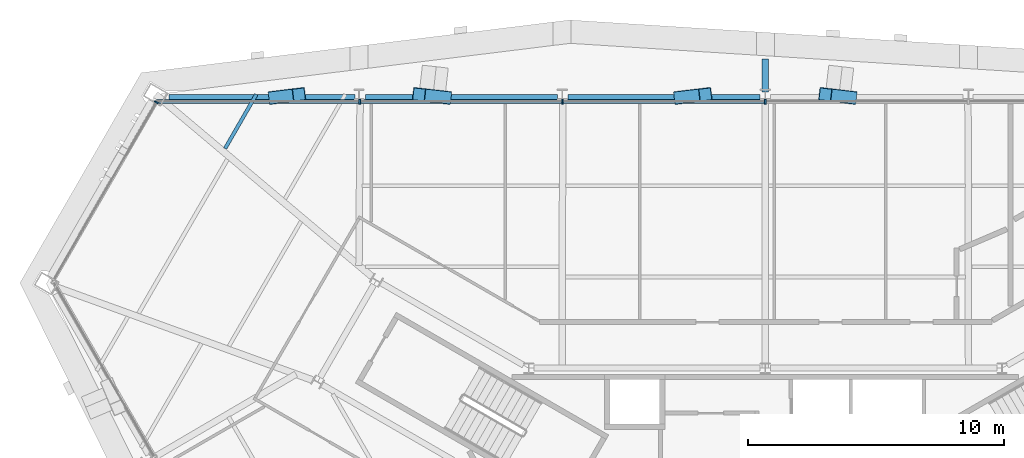
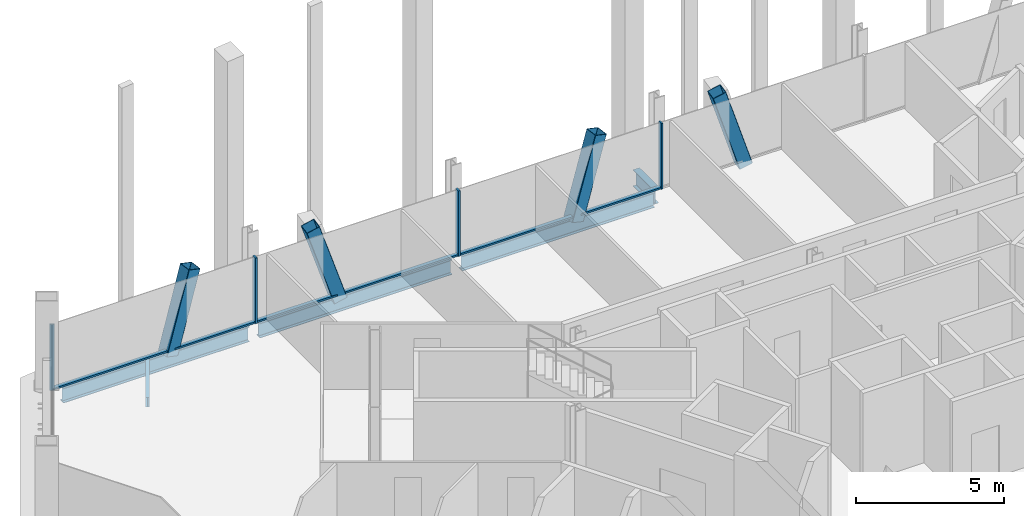
# One storey, part 7 of 15: 11 members, 5 beams, 2 elements without a shape of their own.
"""IFC4 building model written with IfcOpenShell, lengths in metres."""

import ifcopenshell
import ifcopenshell.guid

model = None  # the IFC model being written
_history = None  # IfcOwnerHistory: only IFC2X3 demands one
_inside = {}  # id of a spatial element -> (the spatial element, [elements in it])
_under = {}  # id of a project, library or spatial element -> (it, [spatial elements below it])
_declared = {}  # id of a project -> (the project, [libraries it declares])
_typed = {}  # id of a type object -> (the type object, [elements of that type])
_made_of = {}  # id of a material, layer set ... -> (it, [elements and type objects made of it])


def new_model(schema):
    """Start an empty IFC model of exactly this schema.

    Asked for "IFC4X3", IfcOpenShell would pick the latest addendum, in which some entities
    have other attributes; the version numbers below select the first issue.
    IFC2X3 requires an IfcOwnerHistory on every rooted entity: one is made here for all.
    """
    global model, _history
    if schema == "IFC4X3":
        model = ifcopenshell.file(schema_version=(4, 3, 0, 0))
    else:
        model = ifcopenshell.file(schema=schema)
    _inside.clear()
    _under.clear()
    _declared.clear()
    _typed.clear()
    _made_of.clear()
    _history = None
    if model.schema == "IFC2X3":
        org = make("IfcOrganization", Name="unknown")
        user = make(
            "IfcPersonAndOrganization",
            ThePerson=make("IfcPerson", FamilyName="unknown"),
            TheOrganization=org,
        )
        app = make(
            "IfcApplication",
            ApplicationDeveloper=org,
            Version="unknown",
            ApplicationFullName="unknown",
            ApplicationIdentifier="unknown",
        )
        _history = make(
            "IfcOwnerHistory",
            OwningUser=user,
            OwningApplication=app,
            ChangeAction="ADDED",
            CreationDate=0,
        )
    return model


def make(cls, **values):
    """One entity of the class cls with the attributes given. An attribute that is None is left unset."""
    return model.create_entity(
        cls, **{name: value for name, value in values.items() if value is not None}
    )


def rooted(cls, **values):
    """An entity with a GlobalId (a new one), such as an element, a storey or a relation."""
    return make(cls, GlobalId=ifcopenshell.guid.new(), OwnerHistory=_history, **values)


def si_unit(unit_type, name, prefix=None):
    """IfcSIUnit, for example si_unit("LENGTHUNIT", "METRE", prefix="MILLI")."""
    return make("IfcSIUnit", UnitType=unit_type, Prefix=prefix, Name=name)


def assignment(units):
    """IfcUnitAssignment: the units of a project."""
    return None if units is None else make("IfcUnitAssignment", Units=units)


def point(xyz):
    """IfcCartesianPoint."""
    return None if xyz is None else make("IfcCartesianPoint", Coordinates=xyz)


def direction(xyz):
    """IfcDirection."""
    return None if xyz is None else make("IfcDirection", DirectionRatios=xyz)


def frame(location, z_axis=None, x_axis=None):
    """IfcAxis2Placement3D, a coordinate frame: its origin and axes. An axis left out is left unset."""
    return make(
        "IfcAxis2Placement3D",
        Location=point(location),
        Axis=direction(z_axis),
        RefDirection=direction(x_axis),
    )


def frame_2d(location, x_axis=None):
    """IfcAxis2Placement2D, a coordinate frame in the plane: its origin and x axis."""
    return make(
        "IfcAxis2Placement2D", Location=point(location), RefDirection=direction(x_axis)
    )


def origin():
    """The frame at (0, 0, 0) with its axes left unset."""
    return frame((0.0, 0.0, 0.0))


def origin_2d():
    """The frame at (0, 0) in the plane with its x axis left unset."""
    return frame_2d((0.0, 0.0))


def place(relative_to, where):
    """IfcLocalPlacement: puts the frame where relative to a parent placement (None: the world)."""
    return make(
        "IfcLocalPlacement", PlacementRelTo=relative_to, RelativePlacement=where
    )


def context(
    kind, dimensions, precision=None, world=None, true_north=None, identifier=None
):
    """IfcGeometricRepresentationContext, for example the 3D "Model" context."""
    return make(
        "IfcGeometricRepresentationContext",
        ContextIdentifier=identifier,
        ContextType=kind,
        CoordinateSpaceDimension=dimensions,
        Precision=precision,
        WorldCoordinateSystem=world,
        TrueNorth=true_north,
    )


def subcontext(parent, identifier, kind, view, scale=None):
    """IfcGeometricRepresentationSubContext, for example "Body" below "Model"."""
    return make(
        "IfcGeometricRepresentationSubContext",
        ContextIdentifier=identifier,
        ContextType=kind,
        ParentContext=parent,
        TargetScale=scale,
        TargetView=view,
    )


def project(units=None, contexts=None):
    """IfcProject with its units and contexts."""
    return rooted(
        "IfcProject",
        Name="project",
        RepresentationContexts=contexts,
        UnitsInContext=assignment(units),
    )


def spatial(cls, under=None, at=None, **own):
    """A site, building, storey or space (cls), placed at a placement, below another one or the project."""
    s = rooted(cls, ObjectPlacement=at, **own)
    if under is not None:
        _under.setdefault(under.id(), (under, []))[1].append(s)
    return s


def profile(cls, at=None, kind="AREA", **sizes):
    """A parametric profile (cls). Its sizes go by their IFC names, for example OverallWidth=200.0."""
    return make(cls, ProfileType=kind, Position=at, **sizes)


def rectangle(**sizes):
    """IfcRectangleProfileDef."""
    return profile("IfcRectangleProfileDef", **sizes)


def hollow_rectangle(**sizes):
    """IfcRectangleHollowProfileDef."""
    return profile("IfcRectangleHollowProfileDef", **sizes)


def i_section(**sizes):
    """IfcIShapeProfileDef."""
    return profile("IfcIShapeProfileDef", **sizes)


def extrude(swept, where, along, depth):
    """IfcExtrudedAreaSolid: the profile swept, set in the frame where, extruded along a direction by depth."""
    return make(
        "IfcExtrudedAreaSolid",
        SweptArea=swept,
        Position=where,
        ExtrudedDirection=direction(along),
        Depth=depth,
    )


def shape(context_of_items, identifier, shape_type, items):
    """IfcShapeRepresentation: the items that make up one representation, for example the "Body"."""
    return make(
        "IfcShapeRepresentation",
        ContextOfItems=context_of_items,
        RepresentationIdentifier=identifier,
        RepresentationType=shape_type,
        Items=items,
    )


def material(Name=None, Category=None):
    """IfcMaterial."""
    return make("IfcMaterial", Name=Name, Category=Category)


def material_profile(
    of_material, cross_section, Name=None, Category=None, Priority=None
):
    """IfcMaterialProfile: a cross section and its material."""
    return make(
        "IfcMaterialProfile",
        Name=Name,
        Material=of_material,
        Profile=cross_section,
        Priority=Priority,
        Category=Category,
    )


def profile_set(profiles, Name=None, composite=None):
    """IfcMaterialProfileSet."""
    return make(
        "IfcMaterialProfileSet",
        Name=Name,
        MaterialProfiles=profiles,
        CompositeProfile=composite,
    )


def made_of(thing, what):
    """Note that an element or type object is made of a material, layer set ...; save() writes the relation."""
    if what is not None:
        _made_of.setdefault(what.id(), (what, []))[1].append(thing)
    return thing


def type_object(cls, material=None, **own):
    """A type object (cls), such as IfcWallType, which elements share."""
    return made_of(rooted(cls, **own), material)


def element(
    cls,
    number,
    at=None,
    inside=None,
    cuts=None,
    type_object=None,
    material=None,
    context=None,
    identifier="Body",
    shape_type=None,
    held_by="IfcProductDefinitionShape",
    body=None,
    shapes=None,
    **own,
):
    """One element of the class cls, such as IfcWall. Its Tag is "e" and its number.

    at: its placement. inside: the storey or other place that contains it. cuts: it is an
    opening in that element (IfcRelVoidsElement). A single representation is given by context,
    identifier, shape_type and body (its items); several are given by shapes. held_by: the class
    of the entity that holds the representations. save() writes the other relations.
    """
    e = rooted(cls, Tag="e%d" % number, ObjectPlacement=at, **own)
    if body is not None:
        shapes = [shape(context, identifier, shape_type, body)]
    if shapes is not None:
        e.Representation = make(held_by, Representations=shapes)
    if inside is not None:
        _inside.setdefault(inside.id(), (inside, []))[1].append(e)
    if cuts is not None:
        rooted(
            "IfcRelVoidsElement", RelatingBuildingElement=cuts, RelatedOpeningElement=e
        )
    if type_object is not None:
        _typed.setdefault(type_object.id(), (type_object, []))[1].append(e)
    return made_of(e, material)


def aggregate(whole, parts):
    """IfcRelAggregates: a whole, such as a stair, and the parts it consists of."""
    return rooted("IfcRelAggregates", RelatingObject=whole, RelatedObjects=parts)


def save(model, path):
    """Write the relations noted so far, then the file.

    IfcRelAggregates (storeys below a building ...), IfcRelContainedInSpatialStructure (elements
    in a storey), IfcRelDefinesByType, IfcRelAssociatesMaterial and IfcRelDeclares: one each for
    every whole, place, type object, material and project.
    """
    for whole, parts in _under.values():
        aggregate(whole, parts)
    for where, things in _inside.values():
        rooted(
            "IfcRelContainedInSpatialStructure",
            RelatedElements=things,
            RelatingStructure=where,
        )
    for kind, things in _typed.values():
        rooted("IfcRelDefinesByType", RelatedObjects=things, RelatingType=kind)
    for what, things in _made_of.values():
        rooted("IfcRelAssociatesMaterial", RelatedObjects=things, RelatingMaterial=what)
    for by, libraries in _declared.values():
        rooted("IfcRelDeclares", RelatingContext=by, RelatedDefinitions=libraries)
    model.write(path)


model = new_model("IFC4")

# Units and contexts
model_context = context("Model", 3, precision=1e-05, world=origin(), true_north=direction((0.0, 1.0)))
body_context = subcontext(model_context, "Body", "Model", "MODEL_VIEW")
ifc_project = project(units=[si_unit("LENGTHUNIT", "METRE"), si_unit("AREAUNIT", "SQUARE_METRE"), si_unit("VOLUMEUNIT", "CUBIC_METRE"), si_unit("PLANEANGLEUNIT", "RADIAN"), si_unit("MASSUNIT", "GRAM", prefix="KILO")], contexts=[model_context])

# Site, building, storey
site_placement = place(None, origin())
site = spatial("IfcSite", under=ifc_project, at=site_placement, CompositionType="ELEMENT")
building_placement = place(site_placement, origin())
building = spatial("IfcBuilding", under=site, at=building_placement, Name="Verrane Prism Tower", CompositionType="ELEMENT")
storey_placement = place(building_placement, frame((0.0, 0.0, 189.5)))
storey = spatial("IfcBuildingStorey", under=building, at=storey_placement, Name="L47", CompositionType="ELEMENT", Elevation=189.5)

# Members
ifc_material_1 = material(Name="Steel A500 Grade C", Category="steel")
ifc_material_profile_1 = material_profile(ifc_material_1, hollow_rectangle(XDim=0.508056640625, YDim=0.508056640625, WallThickness=0.01904296875, InnerFilletRadius=0.009521484375, OuterFilletRadius=0.028564453125, at=origin_2d()), Name="HSS20x20x3/4")
ifc_profile_set_1 = profile_set([ifc_material_profile_1], Name="Steel A500 Grade C")
member_type_1 = type_object("IfcMemberType", Name="Facade brace HSS20x20x3/4", PredefinedType="BRACE", material=ifc_profile_set_1)
for number, where, z_axis, x_axis, name in (
    (1, (3.3212890625, 18.594482421875, -0.216796875), (-0.291086665327, 0.034541894807, 0.956072910803), (-0.117838559511, -0.99303276577, 0.0), "Facade brace N2 L47"),
    (2, (-3.3212890625, 18.594482421875, -0.216796875), (0.291086665327, 0.034541894807, 0.956072910803), (-0.117838559511, 0.99303276577, 0.0), "Facade brace N3 L47"),
):
    element("IfcMember", number, at=place(storey_placement, frame(where, z_axis=z_axis, x_axis=x_axis)), inside=storey, type_object=member_type_1, Name=name, PredefinedType="BRACE", context=body_context, shape_type="SweptSolid", body=[
        extrude(hollow_rectangle(XDim=0.508056640625, YDim=0.508056640625, WallThickness=0.01904296875, InnerFilletRadius=0.009521484375, OuterFilletRadius=0.028564453125, at=origin_2d()), origin(), (0.0, 0.0, 1.0), 3.34326171875),
    ])
member_1_placement = place(storey_placement, frame((-12.537841796875, 18.594482421875, -0.216796875), z_axis=(-0.301395217584, 0.034426452045, 0.952877611353), x_axis=(-0.113485690745, -0.993539630813, 0.0)))
element("IfcMember", 3, at=member_1_placement, inside=storey, type_object=member_type_1, Name="Facade brace N4 L47", PredefinedType="BRACE", context=body_context, shape_type="SweptSolid", body=[
    extrude(hollow_rectangle(XDim=0.508056640625, YDim=0.508056640625, WallThickness=0.01904296875, InnerFilletRadius=0.009521484375, OuterFilletRadius=0.028564453125, at=origin_2d()), origin(), (0.0, 0.0, 1.0), 3.354248046875),
])
member_2_placement = place(storey_placement, frame((-19.183349609375, 18.594482421875, -0.216796875), z_axis=(0.280675720196, 0.034654036975, 0.959176854294), x_axis=(-0.122536022817, 0.992464066409, 0.0)))
element("IfcMember", 4, at=member_2_placement, inside=storey, type_object=member_type_1, Name="Facade brace N5 L47", PredefinedType="BRACE", context=body_context, shape_type="SweptSolid", body=[
    extrude(hollow_rectangle(XDim=0.508056640625, YDim=0.508056640625, WallThickness=0.01904296875, InnerFilletRadius=0.009521484375, OuterFilletRadius=0.028564453125, at=origin_2d()), origin(), (0.0, 0.0, 1.0), 3.332275390625),
])

# Beam
ifc_material_2 = material(Name="Steel A992", Category="steel")
ifc_material_profile_2 = material_profile(ifc_material_2, i_section(OverallWidth=0.140380859375, OverallDepth=0.40380859375, WebThickness=0.007080078125, FlangeThickness=0.01123046875, FilletRadius=0.01025390625, at=origin_2d()), Name="W16x31")
ifc_profile_set_2 = profile_set([ifc_material_profile_2], Name="Steel A992")
beam_type_1 = type_object("IfcBeamType", Name="Floor beam W16x31", PredefinedType="BEAM", material=ifc_profile_set_2)
beam_1_placement = place(storey_placement, frame((-21.138916015625, 16.593994140625, -0.36181640625), z_axis=(0.500007885066, 0.866020851292, 0.0), x_axis=(-0.866020851292, 0.500007885066, 0.0)))
element("IfcBeam", 5, at=beam_1_placement, inside=storey, type_object=beam_type_1, Name="Floor beam L47", PredefinedType="BEAM", context=body_context, shape_type="SweptSolid", body=[
    extrude(i_section(OverallWidth=0.140380859375, OverallDepth=0.40380859375, WebThickness=0.007080078125, FlangeThickness=0.01123046875, FilletRadius=0.01025390625, at=origin_2d()), origin(), (0.0, 0.0, 1.0), 2.443359375),
])

# Curtain wall, member
ifc_material_3 = material(Name="Aluminium framed insulated glazing", Category="aluminium")
curtain_wall_type_1 = type_object("IfcCurtainWallType", Name="Curtain wall CW-B 5600 module", PredefinedType="NOTDEFINED", material=ifc_material_3)
curtain_wall_1_placement = place(storey_placement, origin())
curtain_wall_1 = element("IfcCurtainWall", 6, at=curtain_wall_1_placement, inside=storey, type_object=curtain_wall_type_1, Name="Glazed curtain wall north-west corner L47", PredefinedType="NOTDEFINED")
ifc_material_4 = material(Name="Aluminium alloy 6063-T6", Category="aluminium")
ifc_material_profile_3 = material_profile(ifc_material_4, rectangle(XDim=0.159912109375, YDim=0.06005859375, at=origin_2d()), Name="Mullion 60x160 aluminium")
ifc_profile_set_3 = profile_set([ifc_material_profile_3], Name="Aluminium alloy 6063-T6")
member_type_2 = type_object("IfcMemberType", Name="Mullion 60x160 aluminium", PredefinedType="MULLION", material=ifc_profile_set_3)
member_3_placement = place(storey_placement, frame((-23.827880859375, 18.405029296875, 0.0), z_axis=(0.0, 0.0, 1.0), x_axis=(0.866022763997, -0.500004572218, 0.0)))
member_3 = element("IfcMember", 7, at=member_3_placement, type_object=member_type_2, Name="CW47.3 mullion 1", PredefinedType="MULLION", context=body_context, shape_type="SweptSolid", body=[
    extrude(rectangle(XDim=0.159912109375, YDim=0.06005859375, at=origin_2d()), origin(), (0.0, 0.0, 1.0), 2.712890625),
])
aggregate(curtain_wall_1, [member_3])

# Curtain wall, members
ifc_material_5 = material(Name="Aluminium framed insulated glazing", Category="aluminium")
curtain_wall_type_2 = type_object("IfcCurtainWallType", Name="Curtain wall CW-A 8400 module", PredefinedType="NOTDEFINED", material=ifc_material_5)
curtain_wall_2_placement = place(storey_placement, origin())
curtain_wall_2 = element("IfcCurtainWall", 8, at=curtain_wall_2_placement, inside=storey, type_object=curtain_wall_type_2, Name="Glazed curtain wall north face L47", PredefinedType="NOTDEFINED")
ifc_material_6 = material(Name="Aluminium alloy 6063-T6", Category="aluminium")
ifc_material_profile_4 = material_profile(ifc_material_6, rectangle(XDim=0.199951171875, YDim=0.070068359375, at=origin_2d()), Name="Mullion 70x200 aluminium")
ifc_profile_set_4 = profile_set([ifc_material_profile_4], Name="Aluminium alloy 6063-T6")
member_type_3 = type_object("IfcMemberType", Name="Mullion 70x200 aluminium", PredefinedType="MULLION", material=ifc_profile_set_4)
member_4_placement = place(storey_placement, frame((0.0, 18.430908203125, 0.0), z_axis=(0.0, 0.0, 1.0), x_axis=(0.0, -1.0, 0.0)))
member_4 = element("IfcMember", 9, at=member_4_placement, type_object=member_type_3, Name="CW47.2 mullion 4", PredefinedType="MULLION", context=body_context, shape_type="SweptSolid", body=[
    extrude(rectangle(XDim=0.199951171875, YDim=0.070068359375, at=origin_2d()), origin(), (0.0, 0.0, 1.0), 2.712890625),
])
member_5_placement = place(storey_placement, frame((-7.937744140625, 18.430908203125, 0.0), z_axis=(0.0, 0.0, 1.0), x_axis=(0.0, -1.0, 0.0)))
member_5 = element("IfcMember", 10, at=member_5_placement, type_object=member_type_3, Name="CW47.2 mullion 5", PredefinedType="MULLION", context=body_context, shape_type="SweptSolid", body=[
    extrude(rectangle(XDim=0.199951171875, YDim=0.070068359375, at=origin_2d()), origin(), (0.0, 0.0, 1.0), 2.712890625),
])
member_6_placement = place(storey_placement, frame((-15.875244140625, 18.430908203125, 0.0), z_axis=(0.0, 0.0, 1.0), x_axis=(0.0, -1.0, 0.0)))
member_6 = element("IfcMember", 11, at=member_6_placement, type_object=member_type_3, Name="CW47.2 mullion 6", PredefinedType="MULLION", context=body_context, shape_type="SweptSolid", body=[
    extrude(rectangle(XDim=0.199951171875, YDim=0.070068359375, at=origin_2d()), origin(), (0.0, 0.0, 1.0), 2.712890625),
])

# Beams
ifc_material_7 = material(Name="Steel A992", Category="steel")
ifc_material_profile_5 = material_profile(ifc_material_7, i_section(OverallWidth=0.25390625, OverallDepth=0.683349609375, WebThickness=0.012451171875, FlangeThickness=0.01904296875, FilletRadius=0.01513671875, at=origin_2d()), Name="W27x94")
ifc_profile_set_5 = profile_set([ifc_material_profile_5], Name="Steel A992")
beam_type_2 = type_object("IfcBeamType", Name="Radial girder W27x94", PredefinedType="BEAM", material=ifc_profile_set_5)
beam_2_placement = place(storey_placement, frame((0.0, 18.798828125, -0.5615234375), z_axis=(0.0, 1.0, 0.0), x_axis=(-1.0, 0.0, 0.0)))
element("IfcBeam", 12, at=beam_2_placement, inside=storey, type_object=beam_type_2, Name="Cantilever girder L47", PredefinedType="BEAM", context=body_context, shape_type="SweptSolid", body=[
    extrude(i_section(OverallWidth=0.25390625, OverallDepth=0.683349609375, WebThickness=0.012451171875, FlangeThickness=0.01904296875, FilletRadius=0.01513671875, at=origin_2d()), origin(), (0.0, 0.0, 1.0), 1.291259765625),
])
ifc_material_8 = material(Name="Steel A992", Category="steel")
ifc_material_profile_6 = material_profile(ifc_material_8, i_section(OverallWidth=0.23046875, OverallDepth=0.6171875, WebThickness=0.01318359375, FlangeThickness=0.022216796875, FilletRadius=0.012939453125, at=origin_2d()), Name="W24x94")
ifc_profile_set_6 = profile_set([ifc_material_profile_6], Name="Steel A992")
beam_type_3 = type_object("IfcBeamType", Name="Spandrel beam W24x94", PredefinedType="SPANDREL", material=ifc_profile_set_6)
beam_3_placement = place(storey_placement, frame((-0.203125, 18.594482421875, -0.468505859375), z_axis=(-1.0, 0.0, 0.0), x_axis=(0.0, -1.0, 0.0)))
element("IfcBeam", 13, at=beam_3_placement, inside=storey, type_object=beam_type_3, Name="Spandrel beam L47", PredefinedType="SPANDREL", context=body_context, shape_type="SweptSolid", body=[
    extrude(i_section(OverallWidth=0.23046875, OverallDepth=0.6171875, WebThickness=0.01318359375, FlangeThickness=0.022216796875, FilletRadius=0.012939453125, at=origin_2d()), origin(), (0.0, 0.0, 1.0), 7.522216796875),
])
beam_4_placement = place(storey_placement, frame((-8.1318359375, 18.594482421875, -0.468505859375), z_axis=(-1.0, 0.0, 0.0), x_axis=(0.0, -1.0, 0.0)))
element("IfcBeam", 14, at=beam_4_placement, inside=storey, type_object=beam_type_3, Name="Spandrel beam L47", PredefinedType="SPANDREL", context=body_context, shape_type="SweptSolid", body=[
    extrude(i_section(OverallWidth=0.23046875, OverallDepth=0.6171875, WebThickness=0.01318359375, FlangeThickness=0.022216796875, FilletRadius=0.012939453125, at=origin_2d()), origin(), (0.0, 0.0, 1.0), 7.5205078125),
])
beam_5_placement = place(storey_placement, frame((-16.05859375, 18.594482421875, -0.468505859375), z_axis=(-1.0, 0.0, 0.0), x_axis=(0.0, -1.0, 0.0)))
element("IfcBeam", 15, at=beam_5_placement, inside=storey, type_object=beam_type_3, Name="Spandrel beam L47", PredefinedType="SPANDREL", context=body_context, shape_type="SweptSolid", body=[
    extrude(i_section(OverallWidth=0.23046875, OverallDepth=0.6171875, WebThickness=0.01318359375, FlangeThickness=0.022216796875, FilletRadius=0.012939453125, at=origin_2d()), origin(), (0.0, 0.0, 1.0), 7.27197265625),
])

# Member
ifc_material_9 = material(Name="Aluminium alloy 6063-T6", Category="aluminium")
ifc_material_profile_7 = material_profile(ifc_material_9, rectangle(XDim=0.14990234375, YDim=0.070068359375, at=origin_2d()), Name="Transom 70x150 aluminium")
ifc_profile_set_7 = profile_set([ifc_material_profile_7], Name="Aluminium alloy 6063-T6")
member_type_4 = type_object("IfcMemberType", Name="Transom 70x150 aluminium", PredefinedType="USERDEFINED", material=ifc_profile_set_7)
member_7_placement = place(storey_placement, frame((-0.034912109375, 18.430908203125, 0.034912109375), z_axis=(-1.0, 0.0, 0.0), x_axis=(0.0, -1.0, 0.0)))
member_7 = element("IfcMember", 16, at=member_7_placement, type_object=member_type_4, Name="CW47.2 transom 4", ObjectType="TRANSOM", PredefinedType="USERDEFINED", context=body_context, shape_type="SweptSolid", body=[
    extrude(rectangle(XDim=0.14990234375, YDim=0.070068359375, at=origin_2d()), origin(), (0.0, 0.0, 1.0), 7.86767578125),
])

member_8_placement = place(storey_placement, frame((-7.97265625, 18.430908203125, 0.034912109375), z_axis=(-1.0, 0.0, 0.0), x_axis=(0.0, -1.0, 0.0)))
member_8 = element("IfcMember", 17, at=member_8_placement, type_object=member_type_4, Name="CW47.2 transom 5", ObjectType="TRANSOM", PredefinedType="USERDEFINED", context=body_context, shape_type="SweptSolid", body=[
    extrude(rectangle(XDim=0.14990234375, YDim=0.070068359375, at=origin_2d()), origin(), (0.0, 0.0, 1.0), 7.86767578125),
])

member_9_placement = place(storey_placement, frame((-15.91015625, 18.430908203125, 0.034912109375), z_axis=(-1.0, 0.0, 0.0), x_axis=(0.0, -1.0, 0.0)))
member_9 = element("IfcMember", 18, at=member_9_placement, type_object=member_type_4, Name="CW47.2 transom 6", ObjectType="TRANSOM", PredefinedType="USERDEFINED", context=body_context, shape_type="SweptSolid", body=[
    extrude(rectangle(XDim=0.14990234375, YDim=0.070068359375, at=origin_2d()), origin(), (0.0, 0.0, 1.0), 7.90283203125),
])

aggregate(curtain_wall_2, [member_4, member_5, member_6, member_7, member_8, member_9])

save(model, "model.ifc")
